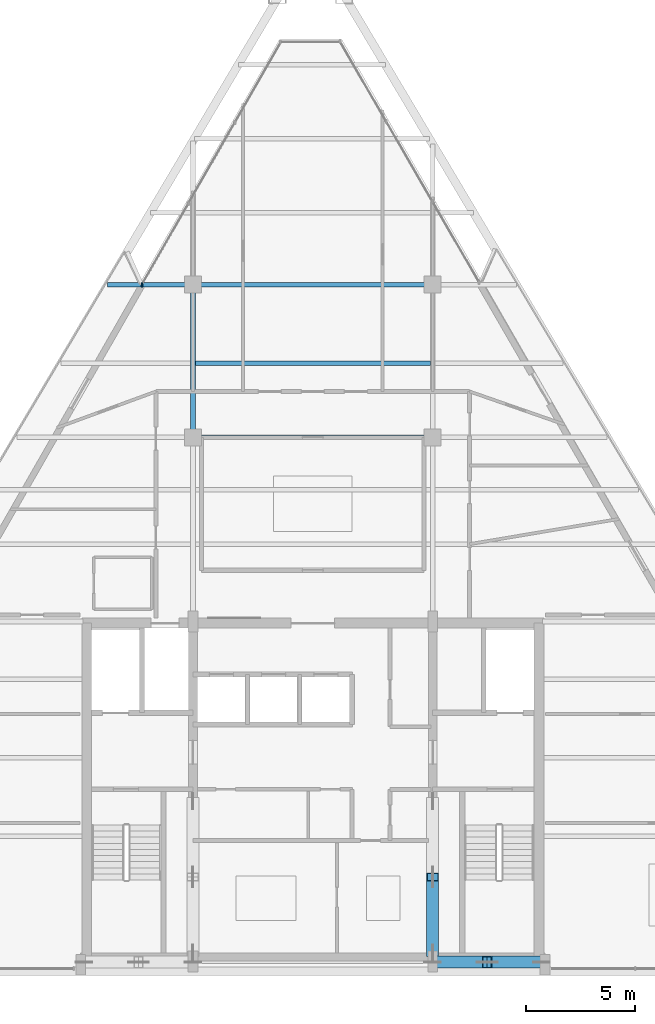
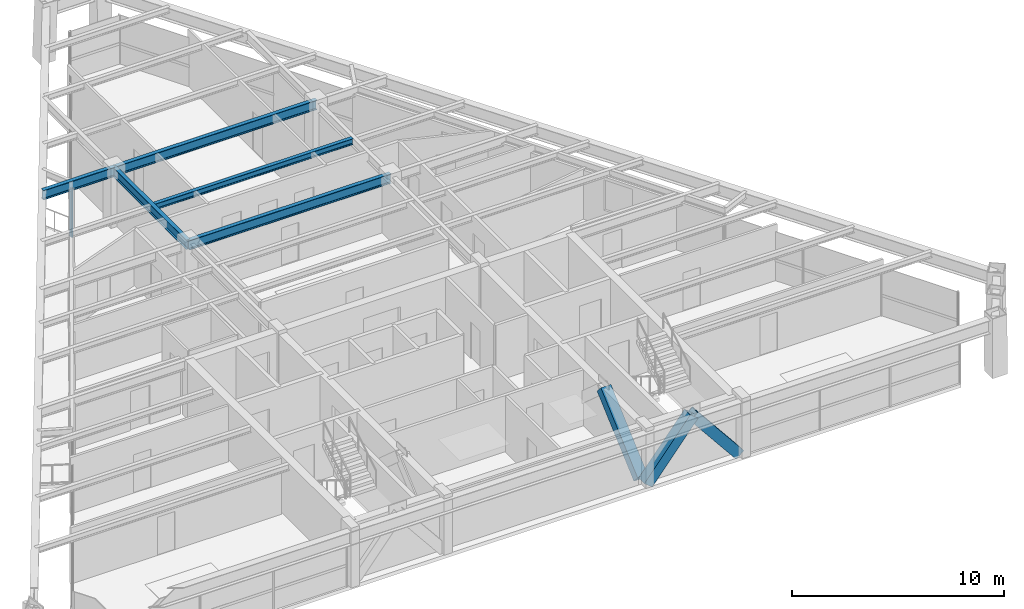
# One storey, part 4 of 13: 5 beams, 5 members, 1 element without a shape of its own.
"""IFC4 building model written with IfcOpenShell, lengths in metres."""

import ifcopenshell
import ifcopenshell.guid

model = None  # the IFC model being written
_history = None  # IfcOwnerHistory: only IFC2X3 demands one
_inside = {}  # id of a spatial element -> (the spatial element, [elements in it])
_under = {}  # id of a project, library or spatial element -> (it, [spatial elements below it])
_declared = {}  # id of a project -> (the project, [libraries it declares])
_typed = {}  # id of a type object -> (the type object, [elements of that type])
_made_of = {}  # id of a material, layer set ... -> (it, [elements and type objects made of it])


def new_model(schema):
    """Start an empty IFC model of exactly this schema.

    Asked for "IFC4X3", IfcOpenShell would pick the latest addendum, in which some entities
    have other attributes; the version numbers below select the first issue.
    IFC2X3 requires an IfcOwnerHistory on every rooted entity: one is made here for all.
    """
    global model, _history
    if schema == "IFC4X3":
        model = ifcopenshell.file(schema_version=(4, 3, 0, 0))
    else:
        model = ifcopenshell.file(schema=schema)
    _inside.clear()
    _under.clear()
    _declared.clear()
    _typed.clear()
    _made_of.clear()
    _history = None
    if model.schema == "IFC2X3":
        org = make("IfcOrganization", Name="unknown")
        user = make(
            "IfcPersonAndOrganization",
            ThePerson=make("IfcPerson", FamilyName="unknown"),
            TheOrganization=org,
        )
        app = make(
            "IfcApplication",
            ApplicationDeveloper=org,
            Version="unknown",
            ApplicationFullName="unknown",
            ApplicationIdentifier="unknown",
        )
        _history = make(
            "IfcOwnerHistory",
            OwningUser=user,
            OwningApplication=app,
            ChangeAction="ADDED",
            CreationDate=0,
        )
    return model


def make(cls, **values):
    """One entity of the class cls with the attributes given. An attribute that is None is left unset."""
    return model.create_entity(
        cls, **{name: value for name, value in values.items() if value is not None}
    )


def rooted(cls, **values):
    """An entity with a GlobalId (a new one), such as an element, a storey or a relation."""
    return make(cls, GlobalId=ifcopenshell.guid.new(), OwnerHistory=_history, **values)


def si_unit(unit_type, name, prefix=None):
    """IfcSIUnit, for example si_unit("LENGTHUNIT", "METRE", prefix="MILLI")."""
    return make("IfcSIUnit", UnitType=unit_type, Prefix=prefix, Name=name)


def assignment(units):
    """IfcUnitAssignment: the units of a project."""
    return None if units is None else make("IfcUnitAssignment", Units=units)


def point(xyz):
    """IfcCartesianPoint."""
    return None if xyz is None else make("IfcCartesianPoint", Coordinates=xyz)


def direction(xyz):
    """IfcDirection."""
    return None if xyz is None else make("IfcDirection", DirectionRatios=xyz)


def frame(location, z_axis=None, x_axis=None):
    """IfcAxis2Placement3D, a coordinate frame: its origin and axes. An axis left out is left unset."""
    return make(
        "IfcAxis2Placement3D",
        Location=point(location),
        Axis=direction(z_axis),
        RefDirection=direction(x_axis),
    )


def frame_2d(location, x_axis=None):
    """IfcAxis2Placement2D, a coordinate frame in the plane: its origin and x axis."""
    return make(
        "IfcAxis2Placement2D", Location=point(location), RefDirection=direction(x_axis)
    )


def origin():
    """The frame at (0, 0, 0) with its axes left unset."""
    return frame((0.0, 0.0, 0.0))


def origin_2d():
    """The frame at (0, 0) in the plane with its x axis left unset."""
    return frame_2d((0.0, 0.0))


def place(relative_to, where):
    """IfcLocalPlacement: puts the frame where relative to a parent placement (None: the world)."""
    return make(
        "IfcLocalPlacement", PlacementRelTo=relative_to, RelativePlacement=where
    )


def context(
    kind, dimensions, precision=None, world=None, true_north=None, identifier=None
):
    """IfcGeometricRepresentationContext, for example the 3D "Model" context."""
    return make(
        "IfcGeometricRepresentationContext",
        ContextIdentifier=identifier,
        ContextType=kind,
        CoordinateSpaceDimension=dimensions,
        Precision=precision,
        WorldCoordinateSystem=world,
        TrueNorth=true_north,
    )


def subcontext(parent, identifier, kind, view, scale=None):
    """IfcGeometricRepresentationSubContext, for example "Body" below "Model"."""
    return make(
        "IfcGeometricRepresentationSubContext",
        ContextIdentifier=identifier,
        ContextType=kind,
        ParentContext=parent,
        TargetScale=scale,
        TargetView=view,
    )


def project(units=None, contexts=None):
    """IfcProject with its units and contexts."""
    return rooted(
        "IfcProject",
        Name="project",
        RepresentationContexts=contexts,
        UnitsInContext=assignment(units),
    )


def spatial(cls, under=None, at=None, **own):
    """A site, building, storey or space (cls), placed at a placement, below another one or the project."""
    s = rooted(cls, ObjectPlacement=at, **own)
    if under is not None:
        _under.setdefault(under.id(), (under, []))[1].append(s)
    return s


def profile(cls, at=None, kind="AREA", **sizes):
    """A parametric profile (cls). Its sizes go by their IFC names, for example OverallWidth=200.0."""
    return make(cls, ProfileType=kind, Position=at, **sizes)


def rectangle(**sizes):
    """IfcRectangleProfileDef."""
    return profile("IfcRectangleProfileDef", **sizes)


def hollow_rectangle(**sizes):
    """IfcRectangleHollowProfileDef."""
    return profile("IfcRectangleHollowProfileDef", **sizes)


def i_section(**sizes):
    """IfcIShapeProfileDef."""
    return profile("IfcIShapeProfileDef", **sizes)


def extrude(swept, where, along, depth):
    """IfcExtrudedAreaSolid: the profile swept, set in the frame where, extruded along a direction by depth."""
    return make(
        "IfcExtrudedAreaSolid",
        SweptArea=swept,
        Position=where,
        ExtrudedDirection=direction(along),
        Depth=depth,
    )


def shape(context_of_items, identifier, shape_type, items):
    """IfcShapeRepresentation: the items that make up one representation, for example the "Body"."""
    return make(
        "IfcShapeRepresentation",
        ContextOfItems=context_of_items,
        RepresentationIdentifier=identifier,
        RepresentationType=shape_type,
        Items=items,
    )


def source(mapping_origin, context_of_items, identifier, shape_type, items):
    """IfcRepresentationMap: a shape defined once, which mapped items show again and again."""
    return make(
        "IfcRepresentationMap",
        MappingOrigin=mapping_origin,
        MappedRepresentation=shape(context_of_items, identifier, shape_type, items),
    )


def transform(
    local_origin,
    x_axis=None,
    y_axis=None,
    z_axis=None,
    scale=None,
    scale2=None,
    scale3=None,
    uniform=True,
):
    """IfcCartesianTransformationOperator3D, or its non-uniform kind. x_axis, y_axis, z_axis: its Axis1, 2, 3."""
    if uniform:
        return make(
            "IfcCartesianTransformationOperator3D",
            Axis1=direction(x_axis),
            Axis2=direction(y_axis),
            LocalOrigin=point(local_origin),
            Scale=scale,
            Axis3=direction(z_axis),
        )
    return make(
        "IfcCartesianTransformationOperator3DnonUniform",
        Axis1=direction(x_axis),
        Axis2=direction(y_axis),
        LocalOrigin=point(local_origin),
        Scale=scale,
        Axis3=direction(z_axis),
        Scale2=scale2,
        Scale3=scale3,
    )


def mapped(mapping_source, mapping_target):
    """IfcMappedItem: shows the shape of a source again, moved by a transform."""
    return make(
        "IfcMappedItem", MappingSource=mapping_source, MappingTarget=mapping_target
    )


def material(Name=None, Category=None):
    """IfcMaterial."""
    return make("IfcMaterial", Name=Name, Category=Category)


def material_profile(
    of_material, cross_section, Name=None, Category=None, Priority=None
):
    """IfcMaterialProfile: a cross section and its material."""
    return make(
        "IfcMaterialProfile",
        Name=Name,
        Material=of_material,
        Profile=cross_section,
        Priority=Priority,
        Category=Category,
    )


def profile_set(profiles, Name=None, composite=None):
    """IfcMaterialProfileSet."""
    return make(
        "IfcMaterialProfileSet",
        Name=Name,
        MaterialProfiles=profiles,
        CompositeProfile=composite,
    )


def made_of(thing, what):
    """Note that an element or type object is made of a material, layer set ...; save() writes the relation."""
    if what is not None:
        _made_of.setdefault(what.id(), (what, []))[1].append(thing)
    return thing


def type_object(cls, material=None, **own):
    """A type object (cls), such as IfcWallType, which elements share."""
    return made_of(rooted(cls, **own), material)


def type_shapes(of_type, sources):
    """Give a type object the sources (RepresentationMaps) that its elements show as mapped items."""
    of_type.RepresentationMaps = sources


def element(
    cls,
    number,
    at=None,
    inside=None,
    cuts=None,
    type_object=None,
    material=None,
    context=None,
    identifier="Body",
    shape_type=None,
    held_by="IfcProductDefinitionShape",
    body=None,
    shapes=None,
    **own,
):
    """One element of the class cls, such as IfcWall. Its Tag is "e" and its number.

    at: its placement. inside: the storey or other place that contains it. cuts: it is an
    opening in that element (IfcRelVoidsElement). A single representation is given by context,
    identifier, shape_type and body (its items); several are given by shapes. held_by: the class
    of the entity that holds the representations. save() writes the other relations.
    """
    e = rooted(cls, Tag="e%d" % number, ObjectPlacement=at, **own)
    if body is not None:
        shapes = [shape(context, identifier, shape_type, body)]
    if shapes is not None:
        e.Representation = make(held_by, Representations=shapes)
    if inside is not None:
        _inside.setdefault(inside.id(), (inside, []))[1].append(e)
    if cuts is not None:
        rooted(
            "IfcRelVoidsElement", RelatingBuildingElement=cuts, RelatedOpeningElement=e
        )
    if type_object is not None:
        _typed.setdefault(type_object.id(), (type_object, []))[1].append(e)
    return made_of(e, material)


def aggregate(whole, parts):
    """IfcRelAggregates: a whole, such as a stair, and the parts it consists of."""
    return rooted("IfcRelAggregates", RelatingObject=whole, RelatedObjects=parts)


def save(model, path):
    """Write the relations noted so far, then the file.

    IfcRelAggregates (storeys below a building ...), IfcRelContainedInSpatialStructure (elements
    in a storey), IfcRelDefinesByType, IfcRelAssociatesMaterial and IfcRelDeclares: one each for
    every whole, place, type object, material and project.
    """
    for whole, parts in _under.values():
        aggregate(whole, parts)
    for where, things in _inside.values():
        rooted(
            "IfcRelContainedInSpatialStructure",
            RelatedElements=things,
            RelatingStructure=where,
        )
    for kind, things in _typed.values():
        rooted("IfcRelDefinesByType", RelatedObjects=things, RelatingType=kind)
    for what, things in _made_of.values():
        rooted("IfcRelAssociatesMaterial", RelatedObjects=things, RelatingMaterial=what)
    for by, libraries in _declared.values():
        rooted("IfcRelDeclares", RelatingContext=by, RelatedDefinitions=libraries)
    model.write(path)


model = new_model("IFC4")

# Units and contexts
model_context = context("Model", 3, precision=1e-05, world=origin(), true_north=direction((0.0, 1.0)))
body_context = subcontext(model_context, "Body", "Model", "MODEL_VIEW")
ifc_project = project(units=[si_unit("LENGTHUNIT", "METRE"), si_unit("AREAUNIT", "SQUARE_METRE"), si_unit("VOLUMEUNIT", "CUBIC_METRE"), si_unit("PLANEANGLEUNIT", "RADIAN"), si_unit("MASSUNIT", "GRAM", prefix="KILO")], contexts=[model_context])

# Site, building, storey
site_placement = place(None, origin())
site = spatial("IfcSite", under=ifc_project, at=site_placement, CompositionType="ELEMENT")
building_placement = place(site_placement, origin())
building = spatial("IfcBuilding", under=site, at=building_placement, Name="Varnakhor Terracotta Tower", CompositionType="ELEMENT")
storey_placement = place(building_placement, frame((0.0, 0.0, 293.699951171875)))
storey = spatial("IfcBuildingStorey", under=building, at=storey_placement, Name="L77", CompositionType="ELEMENT", Elevation=293.699951171875)

# Beams
ifc_material_1 = material(Name="Steel S355", Category="steel")
ifc_material_profile_1 = material_profile(ifc_material_1, i_section(OverallWidth=0.214111328125, OverallDepth=0.549072265625, WebThickness=0.014892578125, FlangeThickness=0.02392578125, FilletRadius=0.01806640625, at=origin_2d()), Name="W21X93")
ifc_profile_set_1 = profile_set([ifc_material_profile_1], Name="Steel S355")
beam_type_1 = type_object("IfcBeamType", Name="BM-W21X93", PredefinedType="BEAM", material=ifc_profile_set_1)
shared_shape_1 = source(origin(), body_context, "Body", "SweptSolid", [
    extrude(i_section(OverallWidth=0.214111328125, OverallDepth=0.549072265625, WebThickness=0.014892578125, FlangeThickness=0.02392578125, FilletRadius=0.01806640625, at=origin_2d()), origin(), (0.0, 0.0, 1.0), 7.0),
])
beam_1_placement = place(storey_placement, frame((-5.5, 24.5, 2.965576171875), z_axis=(0.0, 1.0, 0.0), x_axis=(-1.0, 0.0, 0.0)))
element("IfcBeam", 1, at=beam_1_placement, inside=storey, type_object=beam_type_1, Name="L77 Primary Girder NS2-W", PredefinedType="BEAM", context=body_context, shape_type="MappedRepresentation", body=[
    mapped(shared_shape_1, transform((0.0, 0.0, 0.0), scale=1.0)),
])
shared_shape_2 = source(origin(), body_context, "Body", "SweptSolid", [
    extrude(i_section(OverallWidth=0.214111328125, OverallDepth=0.549072265625, WebThickness=0.014892578125, FlangeThickness=0.02392578125, FilletRadius=0.01806640625, at=origin_2d()), origin(), (0.0, 0.0, 1.0), 11.0),
])
for number, where, z_axis, x_axis, name in (
    (2, (-5.5, 24.5, 2.965576171875), (1.0, 0.0, 0.0), (0.0, 1.0, 0.0), "L77 Primary Girder EW2-2"),
    (3, (-5.5, 31.5, 2.965576171875), (1.0, 0.0, 0.0), (0.0, 1.0, 0.0), "L77 Primary Girder EW3-2"),
):
    element("IfcBeam", number, at=place(storey_placement, frame(where, z_axis=z_axis, x_axis=x_axis)), inside=storey, type_object=beam_type_1, Name=name, PredefinedType="BEAM", context=body_context, shape_type="MappedRepresentation", body=[
        mapped(shared_shape_2, transform((0.0, 0.0, 0.0), scale=1.0)),
    ])
ifc_material_profile_2 = material_profile(ifc_material_1, i_section(OverallWidth=0.202880859375, OverallDepth=0.346923828125, WebThickness=0.0078125, FlangeThickness=0.013427734375, FilletRadius=0.01806640625, at=origin_2d()), Name="W14X43")
ifc_profile_set_2 = profile_set([ifc_material_profile_2], Name="Steel S355")
beam_type_2 = type_object("IfcBeamType", Name="JST-W14X43", PredefinedType="JOIST", material=ifc_profile_set_2)
shared_shape_3 = source(origin(), body_context, "Body", "SweptSolid", [
    extrude(i_section(OverallWidth=0.202880859375, OverallDepth=0.346923828125, WebThickness=0.0078125, FlangeThickness=0.013427734375, FilletRadius=0.01806640625, at=origin_2d()), origin(), (0.0, 0.0, 1.0), 10.7939453125),
])
beam_2_placement = place(storey_placement, frame((-5.39697265625, 27.89990234375, 3.066650390625), z_axis=(1.0, 0.0, 0.0), x_axis=(0.0, 1.0, 0.0)))
element("IfcBeam", 4, at=beam_2_placement, inside=storey, type_object=beam_type_2, Name="L77 Composite Floor Joist 6-2", PredefinedType="JOIST", context=body_context, shape_type="MappedRepresentation", body=[
    mapped(shared_shape_3, transform((0.0, 0.0, 0.0), scale=1.0)),
])

# Members
ifc_material_profile_3 = material_profile(ifc_material_1, hollow_rectangle(XDim=0.550048828125, YDim=0.550048828125, WallThickness=0.034912109375, at=origin_2d()), Name="HSS550X550X35")
ifc_profile_set_3 = profile_set([ifc_material_profile_3], Name="Steel S355")
member_type_1 = type_object("IfcMemberType", Name="MBR-MEGA-550", PredefinedType="BRACE", material=ifc_profile_set_3)
shared_shape_4 = source(origin(), body_context, "Body", "SweptSolid", [
    extrude(hollow_rectangle(XDim=0.550048828125, YDim=0.550048828125, WallThickness=0.034912109375, at=origin_2d()), origin(), (0.0, 0.0, 1.0), 3.974853515625),
])
for number, where, z_axis, x_axis, name in (
    (5, (5.5, 0.419921875, 0.0), (0.628970263838, 0.0, 0.777429358339), (0.0, 1.0, 0.0), "L77 Core Coupled Brace CSEA"),
    (6, (10.5, 0.419921875, 0.0), (-0.628970263838, 0.0, 0.777429358339), (0.0, -1.0, 0.0), "L77 Core Coupled Brace CSEB"),
):
    element("IfcMember", number, at=place(storey_placement, frame(where, z_axis=z_axis, x_axis=x_axis)), inside=storey, type_object=member_type_1, Name=name, PredefinedType="BRACE", context=body_context, shape_type="MappedRepresentation", body=[
        mapped(shared_shape_4, transform((0.0, 0.0, 0.0), scale=1.0)),
    ])
shared_shape_5 = source(origin(), body_context, "Body", "SweptSolid", [
    extrude(hollow_rectangle(XDim=0.550048828125, YDim=0.550048828125, WallThickness=0.034912109375, at=origin_2d()), origin(), (0.0, 0.0, 1.0), 4.650146484375),
])
member_1_placement = place(storey_placement, frame((5.5, 0.85009765625, 0.0), z_axis=(0.0, 0.74726736397, 0.664523503532), x_axis=(-1.0, 0.0, 0.0)))
element("IfcMember", 7, at=member_1_placement, inside=storey, type_object=member_type_1, Name="L77 Core Coupled Brace CWEA", PredefinedType="BRACE", context=body_context, shape_type="MappedRepresentation", body=[
    mapped(shared_shape_5, transform((0.0, 0.0, 0.0), scale=1.0)),
])

# Beam
shared_shape_6 = source(origin(), body_context, "Body", "SweptSolid", [
    extrude(i_section(OverallWidth=0.214111328125, OverallDepth=0.549072265625, WebThickness=0.014892578125, FlangeThickness=0.02392578125, FilletRadius=0.01806640625, at=origin_2d()), origin(), (0.0, 0.0, 1.0), 3.90966796875),
])
beam_3_placement = place(storey_placement, frame((-9.40966796875, 31.5, 2.965576171875), z_axis=(1.0, 0.0, 0.0), x_axis=(0.0, 1.0, 0.0)))
element("IfcBeam", 8, at=beam_3_placement, inside=storey, type_object=beam_type_1, Name="L77 Primary Girder EW3-1", PredefinedType="BEAM", context=body_context, shape_type="MappedRepresentation", body=[
    mapped(shared_shape_6, transform((0.0, 0.0, 0.0), scale=1.0)),
])

# Curtain wall, members
ifc_material_2 = material(Name="Anodised Aluminium Curtain Wall System", Category="aluminium")
curtain_wall_type = type_object("IfcCurtainWallType", Name="CW-SYS-HOTEL-LOGGIA", PredefinedType="NOTDEFINED", material=ifc_material_2)
curtain_wall_placement = place(storey_placement, origin())
curtain_wall = element("IfcCurtainWall", 9, at=curtain_wall_placement, inside=storey, type_object=curtain_wall_type, Name="L77 W Facet Curtain Wall 2", PredefinedType="NOTDEFINED")
ifc_material_3 = material(Name="Anodised Aluminium 6063-T6", Category="aluminium")
ifc_material_profile_4 = material_profile(ifc_material_3, rectangle(XDim=0.06494140625, YDim=0.159912109375, at=origin_2d()), Name="ALU MULLION 65x160")
ifc_profile_set_4 = profile_set([ifc_material_profile_4], Name="Anodised Aluminium 6063-T6")
member_type_2 = type_object("IfcMemberType", Name="CWM-04", PredefinedType="MULLION", material=ifc_profile_set_4)
shared_shape_7 = source(origin(), body_context, "Body", "SweptSolid", [
    extrude(rectangle(XDim=0.06494140625, YDim=0.159912109375, at=origin_2d()), origin(), (0.0, 0.0, 1.0), 2.820068359375),
])
type_shapes(member_type_2, [shared_shape_7])
member_2_placement = place(storey_placement, frame((-7.842529296875, 31.506103515625, 0.0), z_axis=(0.0, 0.0, 1.0), x_axis=(1.0, 0.0, 0.0)))
member_2 = element("IfcMember", 10, at=member_2_placement, type_object=member_type_2, Name="L77 W Facet Curtain Wall 2 Mullion 1", PredefinedType="MULLION", context=body_context, shape_type="MappedRepresentation", body=[
    mapped(shared_shape_7, transform((0.0, 0.0, 0.0), scale=1.0)),
])
member_3_placement = place(storey_placement, frame((-7.840087890625, 31.47021484375, 0.0), z_axis=(0.0, 0.0, 1.0), x_axis=(1.0, 0.0, 0.0)))
member_3 = element("IfcMember", 11, at=member_3_placement, type_object=member_type_2, Name="L77 W Loggia Jamb Closure Mullion 2", PredefinedType="MULLION", context=body_context, shape_type="MappedRepresentation", body=[
    mapped(shared_shape_7, transform((0.0, 0.0, 0.0), scale=1.0)),
])
aggregate(curtain_wall, [member_2, member_3])

save(model, "model.ifc")
